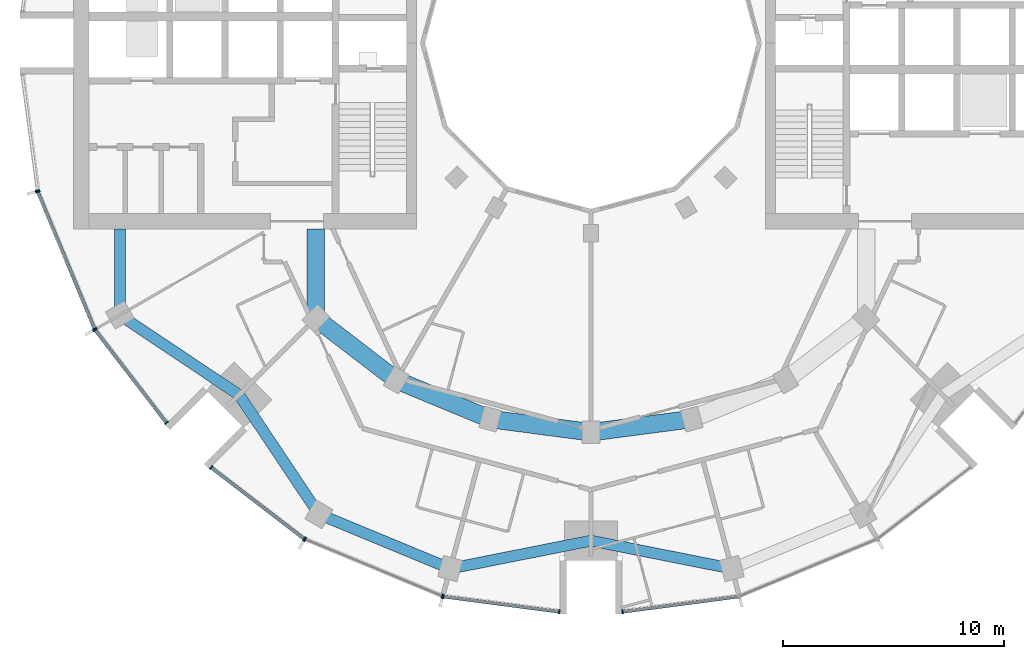
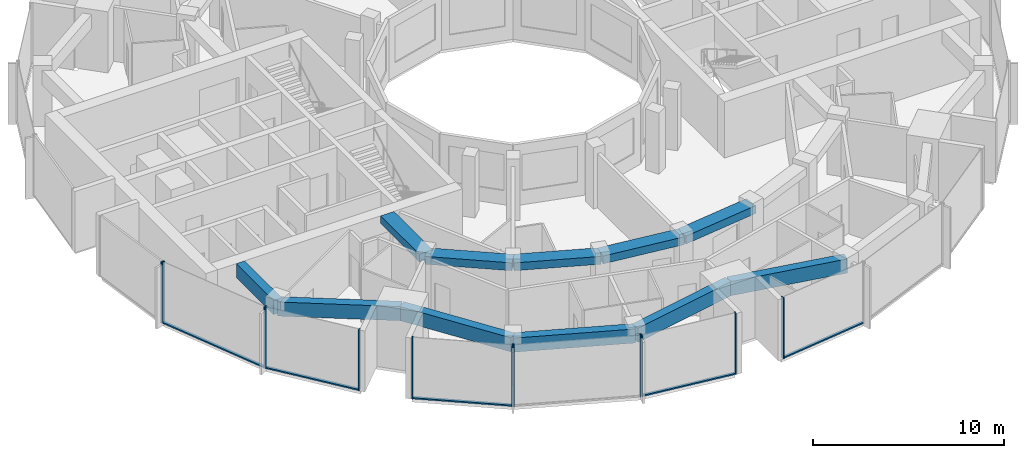
# One storey, part 2 of 15: 17 members, 11 beams, 7 elements without a shape of their own.
"""IFC4 building model written with IfcOpenShell, lengths in metres."""

from ifc_helpers import new_model, si_unit, direction, frame, origin, origin_2d, place, context, subcontext, project, spatial, rectangle, extrude, material, layer, layer_set, material_profile, profile_set, type_object, element, aggregate, save


model = new_model("IFC4")

# Units and contexts
model_context = context("Model", 3, precision=1e-05, world=origin(), true_north=direction((0.0, 1.0)))
body_context = subcontext(model_context, "Body", "Model", "MODEL_VIEW")
ifc_project = project(units=[si_unit("LENGTHUNIT", "METRE"), si_unit("AREAUNIT", "SQUARE_METRE"), si_unit("VOLUMEUNIT", "CUBIC_METRE"), si_unit("PLANEANGLEUNIT", "RADIAN"), si_unit("MASSUNIT", "GRAM", prefix="KILO")], contexts=[model_context])

# Site, building, storey
site_placement = place(None, origin())
site = spatial("IfcSite", under=ifc_project, at=site_placement, CompositionType="ELEMENT")
building_placement = place(site_placement, origin())
building = spatial("IfcBuilding", under=site, at=building_placement, Name="Torre Brocal", CompositionType="ELEMENT")
storey_placement = place(building_placement, frame((0.0, 0.0, 130.199951171875)))
storey = spatial("IfcBuildingStorey", under=building, at=storey_placement, Name="L30", CompositionType="ELEMENT", Elevation=130.199951171875)

# Curtain wall, members
ifc_material_1 = material(Name="Aluminium and glass", Category="aluminium")
ifc_layer_1 = layer(ifc_material_1, 0.199951171875)
ifc_layer_set_1 = layer_set([ifc_layer_1], Name="Aluminium and glass")
curtain_wall_type_1 = type_object("IfcCurtainWallType", Name="CW-1 CURTAIN WALL 3900 HIGH", PredefinedType="NOTDEFINED", material=ifc_layer_set_1)
curtain_wall_1_placement = place(storey_placement, origin())
curtain_wall_1 = element("IfcCurtainWall", 1, at=curtain_wall_1_placement, inside=storey, type_object=curtain_wall_type_1, Name="CW-1 RUN 14", PredefinedType="NOTDEFINED")
ifc_material_2 = material(Name="Aluminium, dark anodised", Category="aluminium")
ifc_material_profile_1 = material_profile(ifc_material_2, rectangle(XDim=0.199951171875, YDim=0.06005859375, at=origin_2d()), Name="CW-1 MULLION 60X200")
ifc_profile_set_1 = profile_set([ifc_material_profile_1], Name="Aluminium, dark anodised")
member_type_1 = type_object("IfcMemberType", Name="CW-1 MULLION 60X200", PredefinedType="MULLION", material=ifc_profile_set_1)
member_1_placement = place(storey_placement, frame((54.994873046875, 68.26904296875, 0.0), z_axis=(0.0, 0.0, 1.0), x_axis=(0.923879532525, 0.382683432333, 0.0)))
member_1 = element("IfcMember", 2, at=member_1_placement, type_object=member_type_1, Name="CW1-3 mullion 1", PredefinedType="MULLION", context=body_context, shape_type="SweptSolid", body=[
    extrude(rectangle(XDim=0.199951171875, YDim=0.06005859375, at=origin_2d()), origin(), (0.0, 0.0, 1.0), 3.900146484375),
])
member_2_placement = place(storey_placement, frame((57.559326171875, 62.078125, 0.0), z_axis=(0.0, 0.0, 1.0), x_axis=(0.923879532525, 0.382683432333, 0.0)))
member_2 = element("IfcMember", 3, at=member_2_placement, type_object=member_type_1, Name="CW1-3 mullion 2", PredefinedType="MULLION", context=body_context, shape_type="SweptSolid", body=[
    extrude(rectangle(XDim=0.199951171875, YDim=0.06005859375, at=origin_2d()), origin(), (0.0, 0.0, 1.0), 3.900146484375),
])

curtain_wall_2_placement = place(storey_placement, origin())
curtain_wall_2 = element("IfcCurtainWall", 4, at=curtain_wall_2_placement, inside=storey, type_object=curtain_wall_type_1, Name="CW-1 RUN 15", PredefinedType="NOTDEFINED")
member_3_placement = place(storey_placement, frame((57.5888671875, 62.026611328125, 0.0), z_axis=(0.0, 0.0, 1.0), x_axis=(0.793353340259, 0.60876142905, 0.0)))
member_3 = element("IfcMember", 5, at=member_3_placement, type_object=member_type_1, Name="CW1-3 mullion 1", PredefinedType="MULLION", context=body_context, shape_type="SweptSolid", body=[
    extrude(rectangle(XDim=0.199951171875, YDim=0.06005859375, at=origin_2d()), origin(), (0.0, 0.0, 1.0), 3.900146484375),
])
member_4_placement = place(storey_placement, frame((60.80859375, 57.83056640625, 0.0), z_axis=(0.0, 0.0, 1.0), x_axis=(0.793353340259, 0.60876142905, 0.0)))
member_4 = element("IfcMember", 6, at=member_4_placement, type_object=member_type_1, Name="CW1-3 mullion 2", PredefinedType="MULLION", context=body_context, shape_type="SweptSolid", body=[
    extrude(rectangle(XDim=0.199951171875, YDim=0.06005859375, at=origin_2d()), origin(), (0.0, 0.0, 1.0), 3.900146484375),
])

curtain_wall_3_placement = place(storey_placement, origin())
curtain_wall_3 = element("IfcCurtainWall", 7, at=curtain_wall_3_placement, inside=storey, type_object=curtain_wall_type_1, Name="CW-1 RUN 16", PredefinedType="NOTDEFINED")
member_5_placement = place(storey_placement, frame((62.83056640625, 55.80859375, 0.0), z_axis=(0.0, 0.0, 1.0), x_axis=(0.60876142905, 0.793353340259, 0.0)))
member_5 = element("IfcMember", 8, at=member_5_placement, type_object=member_type_1, Name="CW1-3 mullion 1", PredefinedType="MULLION", context=body_context, shape_type="SweptSolid", body=[
    extrude(rectangle(XDim=0.199951171875, YDim=0.06005859375, at=origin_2d()), origin(), (0.0, 0.0, 1.0), 3.900146484375),
])
member_6_placement = place(storey_placement, frame((67.026611328125, 52.5888671875, 0.0), z_axis=(0.0, 0.0, 1.0), x_axis=(0.60876142905, 0.793353340259, 0.0)))
member_6 = element("IfcMember", 9, at=member_6_placement, type_object=member_type_1, Name="CW1-3 mullion 2", PredefinedType="MULLION", context=body_context, shape_type="SweptSolid", body=[
    extrude(rectangle(XDim=0.199951171875, YDim=0.06005859375, at=origin_2d()), origin(), (0.0, 0.0, 1.0), 3.900146484375),
])

curtain_wall_4_placement = place(storey_placement, origin())
curtain_wall_4 = element("IfcCurtainWall", 10, at=curtain_wall_4_placement, inside=storey, type_object=curtain_wall_type_1, Name="CW-1 RUN 17", PredefinedType="NOTDEFINED")
member_7_placement = place(storey_placement, frame((67.078125, 52.559326171875, 0.0), z_axis=(0.0, 0.0, 1.0), x_axis=(0.382683432333, 0.923879532525, 0.0)))
member_7 = element("IfcMember", 11, at=member_7_placement, type_object=member_type_1, Name="CW1-3 mullion 1", PredefinedType="MULLION", context=body_context, shape_type="SweptSolid", body=[
    extrude(rectangle(XDim=0.199951171875, YDim=0.06005859375, at=origin_2d()), origin(), (0.0, 0.0, 1.0), 3.900146484375),
])
member_8_placement = place(storey_placement, frame((73.26904296875, 49.994873046875, 0.0), z_axis=(0.0, 0.0, 1.0), x_axis=(0.382683432333, 0.923879532525, 0.0)))
member_8 = element("IfcMember", 12, at=member_8_placement, type_object=member_type_1, Name="CW1-3 mullion 2", PredefinedType="MULLION", context=body_context, shape_type="SweptSolid", body=[
    extrude(rectangle(XDim=0.199951171875, YDim=0.06005859375, at=origin_2d()), origin(), (0.0, 0.0, 1.0), 3.900146484375),
])
aggregate(curtain_wall_4, [member_7, member_8])

curtain_wall_5_placement = place(storey_placement, origin())
curtain_wall_5 = element("IfcCurtainWall", 13, at=curtain_wall_5_placement, inside=storey, type_object=curtain_wall_type_1, Name="CW-1 RUN 18", PredefinedType="NOTDEFINED")
member_9_placement = place(storey_placement, frame((73.32666015625, 49.9794921875, 0.0), z_axis=(0.0, 0.0, 1.0), x_axis=(0.13052619222, 0.991444861374, 0.0)))
member_9 = element("IfcMember", 14, at=member_9_placement, type_object=member_type_1, Name="CW1-3 mullion 1", PredefinedType="MULLION", context=body_context, shape_type="SweptSolid", body=[
    extrude(rectangle(XDim=0.199951171875, YDim=0.06005859375, at=origin_2d()), origin(), (0.0, 0.0, 1.0), 3.900146484375),
])
member_10_placement = place(storey_placement, frame((78.5703125, 49.2890625, 0.0), z_axis=(0.0, 0.0, 1.0), x_axis=(0.13052619222, 0.991444861374, 0.0)))
member_10 = element("IfcMember", 15, at=member_10_placement, type_object=member_type_1, Name="CW1-3 mullion 2", PredefinedType="MULLION", context=body_context, shape_type="SweptSolid", body=[
    extrude(rectangle(XDim=0.199951171875, YDim=0.06005859375, at=origin_2d()), origin(), (0.0, 0.0, 1.0), 3.900146484375),
])

# Curtain wall, member
curtain_wall_6_placement = place(storey_placement, origin())
curtain_wall_6 = element("IfcCurtainWall", 16, at=curtain_wall_6_placement, inside=storey, type_object=curtain_wall_type_1, Name="CW-1 RUN 19", PredefinedType="NOTDEFINED")
member_11_placement = place(storey_placement, frame((81.4296875, 49.2890625, 0.0), z_axis=(0.0, 0.0, 1.0), x_axis=(-0.13052619222, 0.991444861374, 0.0)))
member_11 = element("IfcMember", 17, at=member_11_placement, type_object=member_type_1, Name="CW1-3 mullion 1", PredefinedType="MULLION", context=body_context, shape_type="SweptSolid", body=[
    extrude(rectangle(XDim=0.199951171875, YDim=0.06005859375, at=origin_2d()), origin(), (0.0, 0.0, 1.0), 3.900146484375),
])

# Member
ifc_material_3 = material(Name="Aluminium, dark anodised", Category="aluminium")
ifc_material_profile_2 = material_profile(ifc_material_3, rectangle(XDim=0.159912109375, YDim=0.080078125, at=origin_2d()), Name="CW-1 TRANSOM 160X80")
ifc_profile_set_2 = profile_set([ifc_material_profile_2], Name="Aluminium, dark anodised")
member_type_2 = type_object("IfcMemberType", Name="CW-1 TRANSOM 160X80", PredefinedType="USERDEFINED", material=ifc_profile_set_2)
member_12_placement = place(storey_placement, frame((55.00634765625, 68.241455078125, 0.0400390625), z_axis=(0.38266457234, -0.923887344364, 0.0), x_axis=(0.923887344364, 0.38266457234, 0.0)))
member_12 = element("IfcMember", 18, at=member_12_placement, type_object=member_type_2, Name="CW1-3 transom 1.1", ObjectType="TRANSOM", PredefinedType="USERDEFINED", context=body_context, shape_type="SweptSolid", body=[
    extrude(rectangle(XDim=0.159912109375, YDim=0.080078125, at=origin_2d()), origin(), (0.0, 0.0, 1.0), 6.640869140625),
])

aggregate(curtain_wall_1, [member_1, member_2, member_12])

member_13_placement = place(storey_placement, frame((57.607177734375, 62.0029296875, 0.0400390625), z_axis=(0.60874908096, -0.79336281513, 0.0), x_axis=(0.79336281513, 0.60874908096, 0.0)))
member_13 = element("IfcMember", 19, at=member_13_placement, type_object=member_type_2, Name="CW1-3 transom 1.1", ObjectType="TRANSOM", PredefinedType="USERDEFINED", context=body_context, shape_type="SweptSolid", body=[
    extrude(rectangle(XDim=0.159912109375, YDim=0.080078125, at=origin_2d()), origin(), (0.0, 0.0, 1.0), 5.22900390625),
])

aggregate(curtain_wall_2, [member_3, member_4, member_13])

member_14_placement = place(storey_placement, frame((62.8544921875, 55.790283203125, 0.0400390625), z_axis=(0.79336281513, -0.60874908096, 0.0), x_axis=(0.60874908096, 0.79336281513, 0.0)))
member_14 = element("IfcMember", 20, at=member_14_placement, type_object=member_type_2, Name="CW1-3 transom 1.1", ObjectType="TRANSOM", PredefinedType="USERDEFINED", context=body_context, shape_type="SweptSolid", body=[
    extrude(rectangle(XDim=0.159912109375, YDim=0.080078125, at=origin_2d()), origin(), (0.0, 0.0, 1.0), 5.22900390625),
])

aggregate(curtain_wall_3, [member_5, member_6, member_14])

member_15_placement = place(storey_placement, frame((73.356201171875, 49.9755859375, 0.0400390625), z_axis=(0.991442690863, -0.130542677827, 0.0), x_axis=(0.130542677827, 0.991442690863, 0.0)))
member_15 = element("IfcMember", 21, at=member_15_placement, type_object=member_type_2, Name="CW1-3 transom 1.1", ObjectType="TRANSOM", PredefinedType="USERDEFINED", context=body_context, shape_type="SweptSolid", body=[
    extrude(rectangle(XDim=0.159912109375, YDim=0.080078125, at=origin_2d()), origin(), (0.0, 0.0, 1.0), 5.22900390625),
])

aggregate(curtain_wall_5, [member_9, member_10, member_15])

member_16_placement = place(storey_placement, frame((81.45947265625, 49.29296875, 0.0400390625), z_axis=(0.991442690863, 0.130542677827, 0.0), x_axis=(-0.130542677827, 0.991442690863, 0.0)))
member_16 = element("IfcMember", 22, at=member_16_placement, type_object=member_type_2, Name="CW1-3 transom 1.1", ObjectType="TRANSOM", PredefinedType="USERDEFINED", context=body_context, shape_type="SweptSolid", body=[
    extrude(rectangle(XDim=0.159912109375, YDim=0.080078125, at=origin_2d()), origin(), (0.0, 0.0, 1.0), 5.22900390625),
])

aggregate(curtain_wall_6, [member_11, member_16])

# Curtain wall, member
ifc_material_4 = material(Name="Aluminium and glass", Category="aluminium")
ifc_layer_2 = layer(ifc_material_4, 0.199951171875)
ifc_layer_set_2 = layer_set([ifc_layer_2], Name="Aluminium and glass")
curtain_wall_type_2 = type_object("IfcCurtainWallType", Name="CW-1B CURTAIN WALL 3900 HIGH", PredefinedType="NOTDEFINED", material=ifc_layer_set_2)
curtain_wall_7_placement = place(storey_placement, origin())
curtain_wall_7 = element("IfcCurtainWall", 23, at=curtain_wall_7_placement, inside=storey, type_object=curtain_wall_type_2, Name="CW-1B RUN 13", PredefinedType="NOTDEFINED")
ifc_material_5 = material(Name="Aluminium, dark anodised", Category="aluminium")
ifc_material_profile_3 = material_profile(ifc_material_5, rectangle(XDim=0.199951171875, YDim=0.06005859375, at=origin_2d()), Name="CW-1B MULLION 60X200")
ifc_profile_set_3 = profile_set([ifc_material_profile_3], Name="Aluminium, dark anodised")
member_type_3 = type_object("IfcMemberType", Name="CW-1B MULLION 60X200", PredefinedType="MULLION", material=ifc_profile_set_3)
member_17_placement = place(storey_placement, frame((54.9794921875, 68.32666015625, 0.0), z_axis=(0.0, 0.0, 1.0), x_axis=(0.991444861374, 0.13052619222, 0.0)))
member_17 = element("IfcMember", 24, at=member_17_placement, type_object=member_type_3, Name="CW1B-3 mullion 2", PredefinedType="MULLION", context=body_context, shape_type="SweptSolid", body=[
    extrude(rectangle(XDim=0.199951171875, YDim=0.06005859375, at=origin_2d()), origin(), (0.0, 0.0, 1.0), 3.900146484375),
])
aggregate(curtain_wall_7, [member_17])

# Beams
ifc_material_6 = material(Name="Concrete C50", Category="concrete")
ifc_material_profile_4 = material_profile(ifc_material_6, rectangle(XDim=0.800048828125, YDim=0.5, at=origin_2d()), Name="RC 800X500")
ifc_profile_set_4 = profile_set([ifc_material_profile_4], Name="Concrete C50")
beam_type_1 = type_object("IfcBeamType", Name="RC BEAM 800X500 C50 TOP 3580", PredefinedType="BEAM", material=ifc_profile_set_4)
beam_1_placement = place(storey_placement, frame((67.554931640625, 62.554931640625, 3.330078125), z_axis=(0.0, 1.0, 0.0), x_axis=(-1.0, 0.0, 0.0)))
element("IfcBeam", 25, at=beam_1_placement, inside=storey, type_object=beam_type_1, Name="Beam BT-28", PredefinedType="BEAM", context=body_context, shape_type="SweptSolid", body=[
    extrude(rectangle(XDim=0.800048828125, YDim=0.5, at=origin_2d()), origin(), (0.0, 0.0, 1.0), 4.045166015625),
])
beam_2_placement = place(storey_placement, frame((67.554931640625, 62.554931640625, 3.330078125), z_axis=(0.793358265959, -0.6087550097, 0.0), x_axis=(0.6087550097, 0.793358265959, 0.0)))
element("IfcBeam", 26, at=beam_2_placement, inside=storey, type_object=beam_type_1, Name="Beam BT-28", PredefinedType="BEAM", context=body_context, shape_type="SweptSolid", body=[
    extrude(rectangle(XDim=0.800048828125, YDim=0.5, at=origin_2d()), origin(), (0.0, 0.0, 1.0), 4.594482421875),
])
beam_3_placement = place(storey_placement, frame((71.199951171875, 59.758056640625, 3.330078125), z_axis=(0.923878240166, -0.382686552348, 0.0), x_axis=(0.382686552348, 0.923878240166, 0.0)))
element("IfcBeam", 27, at=beam_3_placement, inside=storey, type_object=beam_type_1, Name="Beam BT-28", PredefinedType="BEAM", context=body_context, shape_type="SweptSolid", body=[
    extrude(rectangle(XDim=0.800048828125, YDim=0.5, at=origin_2d()), origin(), (0.0, 0.0, 1.0), 4.5947265625),
])
for number, where, z_axis, x_axis, name in (
    (28, (75.44482421875, 57.999755859375, 3.330078125), (0.991440544449, -0.130558978332, 0.0), (0.130558978332, 0.991440544449, 0.0), "Beam BT-28"),
    (29, (80.0, 57.39990234375, 3.330078125), (0.991440544449, 0.130558978332, 0.0), (-0.130558978332, 0.991440544449, 0.0), "Beam BT-28"),
):
    element("IfcBeam", number, at=place(storey_placement, frame(where, z_axis=z_axis, x_axis=x_axis)), inside=storey, type_object=beam_type_1, Name=name, PredefinedType="BEAM", context=body_context, shape_type="SweptSolid", body=[
        extrude(rectangle(XDim=0.800048828125, YDim=0.5, at=origin_2d()), origin(), (0.0, 0.0, 1.0), 4.594482421875),
    ])
ifc_material_7 = material(Name="Concrete C50", Category="concrete")
ifc_material_profile_5 = material_profile(ifc_material_7, rectangle(XDim=0.5, YDim=0.89990234375, at=origin_2d()), Name="RC 500X900")
ifc_profile_set_5 = profile_set([ifc_material_profile_5], Name="Concrete C50")
beam_type_2 = type_object("IfcBeamType", Name="RC SPANDREL BEAM 500X900 C50 TOP 3580", PredefinedType="SPANDREL", material=ifc_profile_set_5)
beam_4_placement = place(storey_placement, frame((58.69580078125, 62.699951171875, 3.130126953125), z_axis=(0.0, 1.0, 0.0), x_axis=(-1.0, 0.0, 0.0)))
element("IfcBeam", 30, at=beam_4_placement, inside=storey, type_object=beam_type_2, Name="Beam BT-29", PredefinedType="SPANDREL", context=body_context, shape_type="SweptSolid", body=[
    extrude(rectangle(XDim=0.5, YDim=0.89990234375, at=origin_2d()), origin(), (0.0, 0.0, 1.0), 3.900146484375),
])
for number, where, z_axis, x_axis, name in (
    (31, (58.69580078125, 62.699951171875, 3.130126953125), (0.831076844476, -0.556157602282, 0.0), (0.556157602282, 0.831076844476, 0.0), "Beam BT-29"),
    (32, (64.090087890625, 59.090087890625, 3.130126953125), (0.556157602282, -0.831076844476, 0.0), (0.831076844476, 0.556157602282, 0.0), "Beam BT-29"),
):
    element("IfcBeam", number, at=place(storey_placement, frame(where, z_axis=z_axis, x_axis=x_axis)), inside=storey, type_object=beam_type_2, Name=name, PredefinedType="SPANDREL", context=body_context, shape_type="SweptSolid", body=[
        extrude(rectangle(XDim=0.5, YDim=0.89990234375, at=origin_2d()), origin(), (0.0, 0.0, 1.0), 6.49072265625),
    ])
beam_5_placement = place(storey_placement, frame((67.699951171875, 53.69580078125, 3.130126953125), z_axis=(0.923882462513, -0.382676358639, 0.0), x_axis=(0.382676358639, 0.923882462513, 0.0)))
element("IfcBeam", 33, at=beam_5_placement, inside=storey, type_object=beam_type_2, Name="Beam BT-29", PredefinedType="SPANDREL", context=body_context, shape_type="SweptSolid", body=[
    extrude(rectangle(XDim=0.5, YDim=0.89990234375, at=origin_2d()), origin(), (0.0, 0.0, 1.0), 6.421875),
])
for number, where, z_axis, x_axis, name in (
    (34, (73.633056640625, 51.23828125, 3.130126953125), (0.980924907484, 0.194387051723, 0.0), (-0.194387051723, 0.980924907484, 0.0), "Beam BT-29"),
    (35, (80.0, 52.5, 3.130126953125), (0.980924907484, -0.194387051723, 0.0), (0.194387051723, 0.980924907484, 0.0), "Beam BT-29"),
):
    element("IfcBeam", number, at=place(storey_placement, frame(where, z_axis=z_axis, x_axis=x_axis)), inside=storey, type_object=beam_type_2, Name=name, PredefinedType="SPANDREL", context=body_context, shape_type="SweptSolid", body=[
        extrude(rectangle(XDim=0.5, YDim=0.89990234375, at=origin_2d()), origin(), (0.0, 0.0, 1.0), 6.49072265625),
    ])

save(model, "model.ifc")
